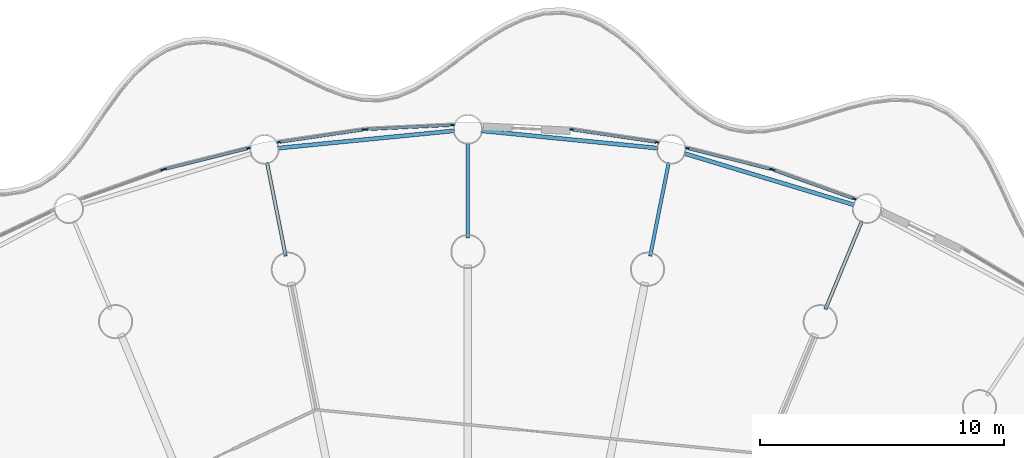
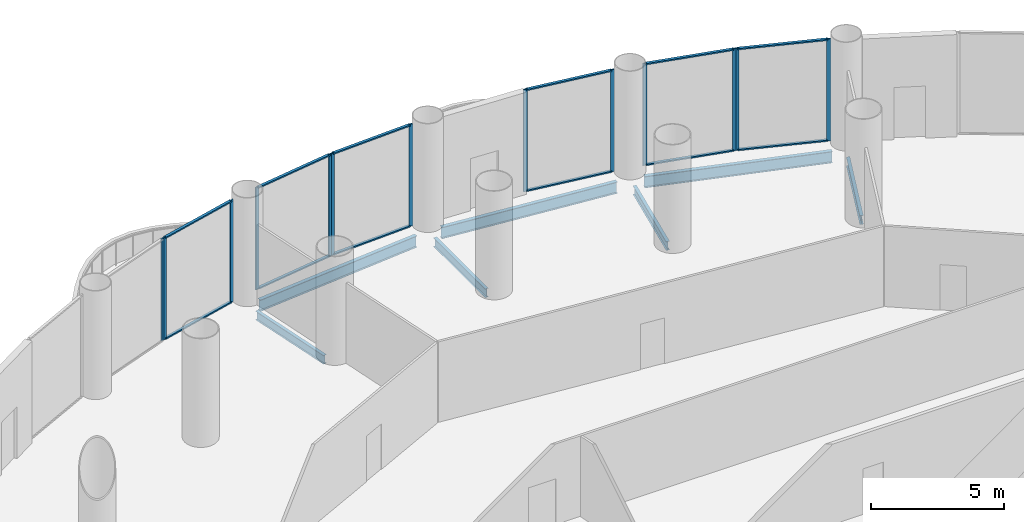
# One storey, part 17 of 35: 25 members, 7 beams, 7 elements without a shape of their own.
"""IFC4 building model written with IfcOpenShell, lengths in metres."""

from ifc_helpers import new_model, si_unit, direction, frame, origin, origin_2d, place, context, subcontext, project, spatial, rectangle, i_section, extrude, material, material_profile, profile_set, type_object, element, aggregate, save


model = new_model("IFC4")

# Units and contexts
model_context = context("Model", 3, precision=1e-05, world=origin(), true_north=direction((0.0, 1.0)))
body_context = subcontext(model_context, "Body", "Model", "MODEL_VIEW")
ifc_project = project(units=[si_unit("LENGTHUNIT", "METRE"), si_unit("AREAUNIT", "SQUARE_METRE"), si_unit("VOLUMEUNIT", "CUBIC_METRE"), si_unit("PLANEANGLEUNIT", "RADIAN"), si_unit("MASSUNIT", "GRAM", prefix="KILO")], contexts=[model_context])

# Site, building, storey
site_placement = place(None, origin())
site = spatial("IfcSite", under=ifc_project, at=site_placement, CompositionType="ELEMENT")
building_placement = place(site_placement, origin())
building = spatial("IfcBuilding", under=site, at=building_placement, Name="Corvane Civic Tower", CompositionType="ELEMENT")
storey_placement = place(building_placement, frame((0.0, 0.0, 22.0)))
storey = spatial("IfcBuildingStorey", under=building, at=storey_placement, Name="L04", CompositionType="ELEMENT", Elevation=22.0)

# Beams
ifc_material_1 = material(Name="Steel ASTM A992 Gr 50", Category="steel")
ifc_material_profile_1 = material_profile(ifc_material_1, i_section(OverallWidth=0.165771484375, OverallDepth=0.5283203125, WebThickness=0.009765625, FlangeThickness=0.013671875, at=origin_2d()), Name="W21X50")
ifc_profile_set_1 = profile_set([ifc_material_profile_1], Name="Steel ASTM A992 Gr 50")
beam_type_1 = type_object("IfcBeamType", Name="EDGE BEAM W21X50", PredefinedType="BEAM", material=ifc_profile_set_1)
for number, where, z_axis, x_axis, name in (
    (1, (0.54736328125, 42.64599609375, -0.564208984375), (0.995187967953, -0.097984225478, 0.0), (0.097984225478, 0.995187967953, 0.0), "BM-L04-E01"),
    (2, (8.856689453125, 41.719970703125, -0.564208984375), (0.956938225664, -0.290291633127, 0.0), (0.290291633127, 0.956938225664, 0.0), "BM-L04-E02"),
    (3, (-7.782958984375, 41.93359375, -0.564208984375), (0.995187967953, 0.097984225478, 0.0), (-0.097984225478, 0.995187967953, 0.0), "BM-L04-E32"),
):
    element("IfcBeam", number, at=place(storey_placement, frame(where, z_axis=z_axis, x_axis=x_axis)), inside=storey, type_object=beam_type_1, Name=name, PredefinedType="BEAM", context=body_context, shape_type="SweptSolid", body=[
        extrude(i_section(OverallWidth=0.165771484375, OverallDepth=0.5283203125, WebThickness=0.009765625, FlangeThickness=0.013671875, at=origin_2d()), origin(), (0.0, 0.0, 1.0), 7.2705078125),
    ])
ifc_material_2 = material(Name="Steel ASTM A992 Gr 50", Category="steel")
ifc_material_profile_2 = material_profile(ifc_material_2, i_section(OverallWidth=0.140380859375, OverallDepth=0.40380859375, WebThickness=0.007080078125, FlangeThickness=0.01123046875, at=origin_2d()), Name="W16X31")
ifc_profile_set_2 = profile_set([ifc_material_profile_2], Name="Steel ASTM A992 Gr 50")
beam_type_2 = type_object("IfcBeamType", Name="FLOOR GIRDER W16X31", PredefinedType="BEAM", material=ifc_profile_set_2)
for number, where, z_axis, x_axis, name in (
    (4, (0.0, 38.25, -0.501953125), (0.0, 1.0, 0.0), (-1.0, 0.0, 0.0), "BM-L04-G01b"),
    (5, (7.462158203125, 37.51513671875, -0.501953125), (0.195128858343, 0.980777614264, 0.0), (-0.980777614264, 0.195128858343, 0.0), "BM-L04-G02b"),
    (6, (14.6376953125, 35.33837890625, -0.501953125), (0.382685369162, 0.923878730261, 0.0), (-0.923878730261, 0.382685369162, 0.0), "BM-L04-G03b"),
    (7, (-7.462158203125, 37.51513671875, -0.501953125), (-0.195128858343, 0.980777614264, 0.0), (-0.980777614264, -0.195128858343, 0.0), "BM-L04-G32b"),
):
    element("IfcBeam", number, at=place(storey_placement, frame(where, z_axis=z_axis, x_axis=x_axis)), inside=storey, type_object=beam_type_2, Name=name, PredefinedType="BEAM", context=body_context, shape_type="SweptSolid", body=[
        extrude(i_section(OverallWidth=0.140380859375, OverallDepth=0.40380859375, WebThickness=0.007080078125, FlangeThickness=0.01123046875, at=origin_2d()), origin(), (0.0, 0.0, 1.0), 3.89990234375),
    ])

# Curtain wall, members
ifc_material_3 = material(Name="Aluminium and glass", Category="aluminium")
curtain_wall_type = type_object("IfcCurtainWallType", Name="PODIUM-CW-P-RUN", PredefinedType="NOTDEFINED", material=ifc_material_3)
curtain_wall_1_placement = place(storey_placement, origin())
curtain_wall_1 = element("IfcCurtainWall", 8, at=curtain_wall_1_placement, inside=storey, type_object=curtain_wall_type, Name="PODI run L04-drum-01B", PredefinedType="NOTDEFINED")
ifc_material_4 = material(Name="Anodised aluminium bronze", Category="aluminium")
ifc_material_profile_3 = material_profile(ifc_material_4, rectangle(XDim=0.06005859375, YDim=0.159912109375, at=origin_2d()), Name="AL 60x160")
ifc_profile_set_3 = profile_set([ifc_material_profile_3], Name="Anodised aluminium bronze")
member_type_1 = type_object("IfcMemberType", Name="PODIUM-CWP-MULLION-60x160", PredefinedType="MULLION", material=ifc_profile_set_3)
member_1_placement = place(storey_placement, frame((4.2509765625, 42.696533203125, 0.0), z_axis=(0.0, 0.0, 1.0), x_axis=(0.146714694252, 0.989178850608, 0.0)))
member_1 = element("IfcMember", 9, at=member_1_placement, type_object=member_type_1, Name="CW-P mullion 1", PredefinedType="MULLION", context=body_context, shape_type="SweptSolid", body=[
    extrude(rectangle(XDim=0.06005859375, YDim=0.159912109375, at=origin_2d()), origin(), (0.0, 0.0, 1.0), 4.699951171875),
])
member_2_placement = place(storey_placement, frame((7.732666015625, 42.18017578125, 0.0), z_axis=(0.0, 0.0, 1.0), x_axis=(0.146714694252, 0.989178850608, 0.0)))
member_2 = element("IfcMember", 10, at=member_2_placement, type_object=member_type_1, Name="CW-P mullion 2", PredefinedType="MULLION", context=body_context, shape_type="SweptSolid", body=[
    extrude(rectangle(XDim=0.06005859375, YDim=0.159912109375, at=origin_2d()), origin(), (0.0, 0.0, 1.0), 4.699951171875),
])

curtain_wall_2_placement = place(storey_placement, origin())
curtain_wall_2 = element("IfcCurtainWall", 11, at=curtain_wall_2_placement, inside=storey, type_object=curtain_wall_type, Name="PODI run L04-drum-02A", PredefinedType="NOTDEFINED")
member_3_placement = place(storey_placement, frame((8.99755859375, 41.9287109375, 0.0), z_axis=(0.0, 0.0, 1.0), x_axis=(0.243008852393, 0.970024070659, 0.0)))
member_3 = element("IfcMember", 12, at=member_3_placement, type_object=member_type_1, Name="CW-P mullion 1", PredefinedType="MULLION", context=body_context, shape_type="SweptSolid", body=[
    extrude(rectangle(XDim=0.06005859375, YDim=0.159912109375, at=origin_2d()), origin(), (0.0, 0.0, 1.0), 4.699951171875),
])
member_4_placement = place(storey_placement, frame((12.411865234375, 41.0732421875, 0.0), z_axis=(0.0, 0.0, 1.0), x_axis=(0.243008852393, 0.970024070659, 0.0)))
member_4 = element("IfcMember", 13, at=member_4_placement, type_object=member_type_1, Name="CW-P mullion 2", PredefinedType="MULLION", context=body_context, shape_type="SweptSolid", body=[
    extrude(rectangle(XDim=0.06005859375, YDim=0.159912109375, at=origin_2d()), origin(), (0.0, 0.0, 1.0), 4.699951171875),
])

curtain_wall_3_placement = place(storey_placement, origin())
curtain_wall_3 = element("IfcCurtainWall", 14, at=curtain_wall_3_placement, inside=storey, type_object=curtain_wall_type, Name="PODI run L04-drum-02B", PredefinedType="NOTDEFINED")
member_5_placement = place(storey_placement, frame((12.4990234375, 41.046875, 0.0), z_axis=(0.0, 0.0, 1.0), x_axis=(0.336918534123, 0.941533802561, 0.0)))
member_5 = element("IfcMember", 15, at=member_5_placement, type_object=member_type_1, Name="CW-P mullion 1", PredefinedType="MULLION", context=body_context, shape_type="SweptSolid", body=[
    extrude(rectangle(XDim=0.06005859375, YDim=0.159912109375, at=origin_2d()), origin(), (0.0, 0.0, 1.0), 4.699951171875),
])
member_6_placement = place(storey_placement, frame((15.81298828125, 39.861083984375, 0.0), z_axis=(0.0, 0.0, 1.0), x_axis=(0.336918534123, 0.941533802561, 0.0)))
member_6 = element("IfcMember", 16, at=member_6_placement, type_object=member_type_1, Name="CW-P mullion 2", PredefinedType="MULLION", context=body_context, shape_type="SweptSolid", body=[
    extrude(rectangle(XDim=0.06005859375, YDim=0.159912109375, at=origin_2d()), origin(), (0.0, 0.0, 1.0), 4.699951171875),
])

# Curtain wall, member
curtain_wall_4_placement = place(storey_placement, origin())
curtain_wall_4 = element("IfcCurtainWall", 17, at=curtain_wall_4_placement, inside=storey, type_object=curtain_wall_type, Name="PODI run L04-drum-31A", PredefinedType="NOTDEFINED")
member_7_placement = place(storey_placement, frame((-12.4990234375, 41.046875, 0.0), z_axis=(0.0, 0.0, 1.0), x_axis=(-0.336918534123, 0.941533802561, 0.0)))
member_7 = element("IfcMember", 18, at=member_7_placement, type_object=member_type_1, Name="CW-P mullion 2", PredefinedType="MULLION", context=body_context, shape_type="SweptSolid", body=[
    extrude(rectangle(XDim=0.06005859375, YDim=0.159912109375, at=origin_2d()), origin(), (0.0, 0.0, 1.0), 4.699951171875),
])
aggregate(curtain_wall_4, [member_7])

# Curtain wall, members
curtain_wall_5_placement = place(storey_placement, origin())
curtain_wall_5 = element("IfcCurtainWall", 19, at=curtain_wall_5_placement, inside=storey, type_object=curtain_wall_type, Name="PODI run L04-drum-31B", PredefinedType="NOTDEFINED")
member_8_placement = place(storey_placement, frame((-12.411865234375, 41.0732421875, 0.0), z_axis=(0.0, 0.0, 1.0), x_axis=(-0.243008852393, 0.970024070659, 0.0)))
member_8 = element("IfcMember", 20, at=member_8_placement, type_object=member_type_1, Name="CW-P mullion 1", PredefinedType="MULLION", context=body_context, shape_type="SweptSolid", body=[
    extrude(rectangle(XDim=0.06005859375, YDim=0.159912109375, at=origin_2d()), origin(), (0.0, 0.0, 1.0), 4.699951171875),
])
member_9_placement = place(storey_placement, frame((-8.99755859375, 41.9287109375, 0.0), z_axis=(0.0, 0.0, 1.0), x_axis=(-0.243008852393, 0.970024070659, 0.0)))
member_9 = element("IfcMember", 21, at=member_9_placement, type_object=member_type_1, Name="CW-P mullion 2", PredefinedType="MULLION", context=body_context, shape_type="SweptSolid", body=[
    extrude(rectangle(XDim=0.06005859375, YDim=0.159912109375, at=origin_2d()), origin(), (0.0, 0.0, 1.0), 4.699951171875),
])

curtain_wall_6_placement = place(storey_placement, origin())
curtain_wall_6 = element("IfcCurtainWall", 22, at=curtain_wall_6_placement, inside=storey, type_object=curtain_wall_type, Name="PODI run L04-drum-32A", PredefinedType="NOTDEFINED")
member_10_placement = place(storey_placement, frame((-7.732666015625, 42.18017578125, 0.0), z_axis=(0.0, 0.0, 1.0), x_axis=(-0.146714694252, 0.989178850608, 0.0)))
member_10 = element("IfcMember", 23, at=member_10_placement, type_object=member_type_1, Name="CW-P mullion 1", PredefinedType="MULLION", context=body_context, shape_type="SweptSolid", body=[
    extrude(rectangle(XDim=0.06005859375, YDim=0.159912109375, at=origin_2d()), origin(), (0.0, 0.0, 1.0), 4.699951171875),
])
member_11_placement = place(storey_placement, frame((-4.2509765625, 42.696533203125, 0.0), z_axis=(0.0, 0.0, 1.0), x_axis=(-0.146714694252, 0.989178850608, 0.0)))
member_11 = element("IfcMember", 24, at=member_11_placement, type_object=member_type_1, Name="CW-P mullion 2", PredefinedType="MULLION", context=body_context, shape_type="SweptSolid", body=[
    extrude(rectangle(XDim=0.06005859375, YDim=0.159912109375, at=origin_2d()), origin(), (0.0, 0.0, 1.0), 4.699951171875),
])

curtain_wall_7_placement = place(storey_placement, origin())
curtain_wall_7 = element("IfcCurtainWall", 25, at=curtain_wall_7_placement, inside=storey, type_object=curtain_wall_type, Name="PODI run L04-drum-32B", PredefinedType="NOTDEFINED")
member_12_placement = place(storey_placement, frame((-4.16064453125, 42.70556640625, 0.0), z_axis=(0.0, 0.0, 1.0), x_axis=(-0.04905015332, 0.998796316803, 0.0)))
member_12 = element("IfcMember", 26, at=member_12_placement, type_object=member_type_1, Name="CW-P mullion 1", PredefinedType="MULLION", context=body_context, shape_type="SweptSolid", body=[
    extrude(rectangle(XDim=0.06005859375, YDim=0.159912109375, at=origin_2d()), origin(), (0.0, 0.0, 1.0), 4.699951171875),
])
member_13_placement = place(storey_placement, frame((-0.644775390625, 42.878173828125, 0.0), z_axis=(0.0, 0.0, 1.0), x_axis=(-0.04905015332, 0.998796316803, 0.0)))
member_13 = element("IfcMember", 27, at=member_13_placement, type_object=member_type_1, Name="CW-P mullion 2", PredefinedType="MULLION", context=body_context, shape_type="SweptSolid", body=[
    extrude(rectangle(XDim=0.06005859375, YDim=0.159912109375, at=origin_2d()), origin(), (0.0, 0.0, 1.0), 4.699951171875),
])

# Member
ifc_material_5 = material(Name="Anodised aluminium bronze", Category="aluminium")
ifc_material_profile_4 = material_profile(ifc_material_5, rectangle(XDim=0.1201171875, YDim=0.06005859375, at=origin_2d()), Name="AL 120x60")
ifc_profile_set_4 = profile_set([ifc_material_profile_4], Name="Anodised aluminium bronze")
member_type_2 = type_object("IfcMemberType", Name="PODIUM-CWP-TRANSOM-60x120", PredefinedType="USERDEFINED", material=ifc_profile_set_4)
member_14_placement = place(storey_placement, frame((4.28076171875, 42.692138671875, 0.030029296875), z_axis=(0.989180338828, -0.146704660039, 0.0), x_axis=(0.146704660039, 0.989180338828, 0.0)))
member_14 = element("IfcMember", 28, at=member_14_placement, type_object=member_type_2, Name="CW-P transom 1.1", ObjectType="TRANSOM", PredefinedType="USERDEFINED", context=body_context, shape_type="SweptSolid", body=[
    extrude(rectangle(XDim=0.1201171875, YDim=0.06005859375, at=origin_2d()), origin(), (0.0, 0.0, 1.0), 3.459716796875),
])

member_15_placement = place(storey_placement, frame((4.28076171875, 42.692138671875, 4.669921875), z_axis=(0.989180338828, -0.146704660039, 0.0), x_axis=(0.146704660039, 0.989180338828, 0.0)))
member_15 = element("IfcMember", 29, at=member_15_placement, type_object=member_type_2, Name="CW-P transom 1.2", ObjectType="TRANSOM", PredefinedType="USERDEFINED", context=body_context, shape_type="SweptSolid", body=[
    extrude(rectangle(XDim=0.1201171875, YDim=0.06005859375, at=origin_2d()), origin(), (0.0, 0.0, 1.0), 3.459716796875),
])

aggregate(curtain_wall_1, [member_1, member_2, member_14, member_15])

member_16_placement = place(storey_placement, frame((9.026611328125, 41.92138671875, 0.030029296875), z_axis=(0.970022009425, -0.243017080124, 0.0), x_axis=(0.243017080124, 0.970022009425, 0.0)))
member_16 = element("IfcMember", 30, at=member_16_placement, type_object=member_type_2, Name="CW-P transom 1.1", ObjectType="TRANSOM", PredefinedType="USERDEFINED", context=body_context, shape_type="SweptSolid", body=[
    extrude(rectangle(XDim=0.1201171875, YDim=0.06005859375, at=origin_2d()), origin(), (0.0, 0.0, 1.0), 3.4599609375),
])

member_17_placement = place(storey_placement, frame((9.026611328125, 41.92138671875, 4.669921875), z_axis=(0.970022009425, -0.243017080124, 0.0), x_axis=(0.243017080124, 0.970022009425, 0.0)))
member_17 = element("IfcMember", 31, at=member_17_placement, type_object=member_type_2, Name="CW-P transom 1.2", ObjectType="TRANSOM", PredefinedType="USERDEFINED", context=body_context, shape_type="SweptSolid", body=[
    extrude(rectangle(XDim=0.1201171875, YDim=0.06005859375, at=origin_2d()), origin(), (0.0, 0.0, 1.0), 3.4599609375),
])

aggregate(curtain_wall_2, [member_3, member_4, member_16, member_17])

member_18_placement = place(storey_placement, frame((12.527099609375, 41.036865234375, 0.030029296875), z_axis=(0.941526196838, -0.336939787896, 0.0), x_axis=(0.336939787896, 0.941526196838, 0.0)))
member_18 = element("IfcMember", 32, at=member_18_placement, type_object=member_type_2, Name="CW-P transom 1.1", ObjectType="TRANSOM", PredefinedType="USERDEFINED", context=body_context, shape_type="SweptSolid", body=[
    extrude(rectangle(XDim=0.1201171875, YDim=0.06005859375, at=origin_2d()), origin(), (0.0, 0.0, 1.0), 3.4599609375),
])

member_19_placement = place(storey_placement, frame((12.527099609375, 41.036865234375, 4.669921875), z_axis=(0.941526196838, -0.336939787896, 0.0), x_axis=(0.336939787896, 0.941526196838, 0.0)))
member_19 = element("IfcMember", 33, at=member_19_placement, type_object=member_type_2, Name="CW-P transom 1.2", ObjectType="TRANSOM", PredefinedType="USERDEFINED", context=body_context, shape_type="SweptSolid", body=[
    extrude(rectangle(XDim=0.1201171875, YDim=0.06005859375, at=origin_2d()), origin(), (0.0, 0.0, 1.0), 3.4599609375),
])

aggregate(curtain_wall_3, [member_5, member_6, member_18, member_19])

member_20_placement = place(storey_placement, frame((-12.3828125, 41.08056640625, 0.030029296875), z_axis=(0.970022009425, 0.243017080124, 0.0), x_axis=(-0.243017080124, 0.970022009425, 0.0)))
member_20 = element("IfcMember", 34, at=member_20_placement, type_object=member_type_2, Name="CW-P transom 1.1", ObjectType="TRANSOM", PredefinedType="USERDEFINED", context=body_context, shape_type="SweptSolid", body=[
    extrude(rectangle(XDim=0.1201171875, YDim=0.06005859375, at=origin_2d()), origin(), (0.0, 0.0, 1.0), 3.4599609375),
])

member_21_placement = place(storey_placement, frame((-12.3828125, 41.08056640625, 4.669921875), z_axis=(0.970022009425, 0.243017080124, 0.0), x_axis=(-0.243017080124, 0.970022009425, 0.0)))
member_21 = element("IfcMember", 35, at=member_21_placement, type_object=member_type_2, Name="CW-P transom 1.2", ObjectType="TRANSOM", PredefinedType="USERDEFINED", context=body_context, shape_type="SweptSolid", body=[
    extrude(rectangle(XDim=0.1201171875, YDim=0.06005859375, at=origin_2d()), origin(), (0.0, 0.0, 1.0), 3.4599609375),
])

aggregate(curtain_wall_5, [member_8, member_9, member_20, member_21])

member_22_placement = place(storey_placement, frame((-7.703125, 42.1845703125, 0.030029296875), z_axis=(0.989180338828, 0.146704660039, 0.0), x_axis=(-0.146704660039, 0.989180338828, 0.0)))
member_22 = element("IfcMember", 36, at=member_22_placement, type_object=member_type_2, Name="CW-P transom 1.1", ObjectType="TRANSOM", PredefinedType="USERDEFINED", context=body_context, shape_type="SweptSolid", body=[
    extrude(rectangle(XDim=0.1201171875, YDim=0.06005859375, at=origin_2d()), origin(), (0.0, 0.0, 1.0), 3.459716796875),
])

member_23_placement = place(storey_placement, frame((-7.703125, 42.1845703125, 4.669921875), z_axis=(0.989180338828, 0.146704660039, 0.0), x_axis=(-0.146704660039, 0.989180338828, 0.0)))
member_23 = element("IfcMember", 37, at=member_23_placement, type_object=member_type_2, Name="CW-P transom 1.2", ObjectType="TRANSOM", PredefinedType="USERDEFINED", context=body_context, shape_type="SweptSolid", body=[
    extrude(rectangle(XDim=0.1201171875, YDim=0.06005859375, at=origin_2d()), origin(), (0.0, 0.0, 1.0), 3.459716796875),
])

aggregate(curtain_wall_6, [member_10, member_11, member_22, member_23])

member_24_placement = place(storey_placement, frame((-4.130615234375, 42.70703125, 0.030029296875), z_axis=(0.998796806423, 0.049040182301, 0.0), x_axis=(-0.049040182301, 0.998796806423, 0.0)))
member_24 = element("IfcMember", 38, at=member_24_placement, type_object=member_type_2, Name="CW-P transom 1.1", ObjectType="TRANSOM", PredefinedType="USERDEFINED", context=body_context, shape_type="SweptSolid", body=[
    extrude(rectangle(XDim=0.1201171875, YDim=0.06005859375, at=origin_2d()), origin(), (0.0, 0.0, 1.0), 3.4599609375),
])

member_25_placement = place(storey_placement, frame((-4.130615234375, 42.70703125, 4.669921875), z_axis=(0.998796806423, 0.049040182301, 0.0), x_axis=(-0.049040182301, 0.998796806423, 0.0)))
member_25 = element("IfcMember", 39, at=member_25_placement, type_object=member_type_2, Name="CW-P transom 1.2", ObjectType="TRANSOM", PredefinedType="USERDEFINED", context=body_context, shape_type="SweptSolid", body=[
    extrude(rectangle(XDim=0.1201171875, YDim=0.06005859375, at=origin_2d()), origin(), (0.0, 0.0, 1.0), 3.4599609375),
])

aggregate(curtain_wall_7, [member_12, member_13, member_24, member_25])

save(model, "model.ifc")
